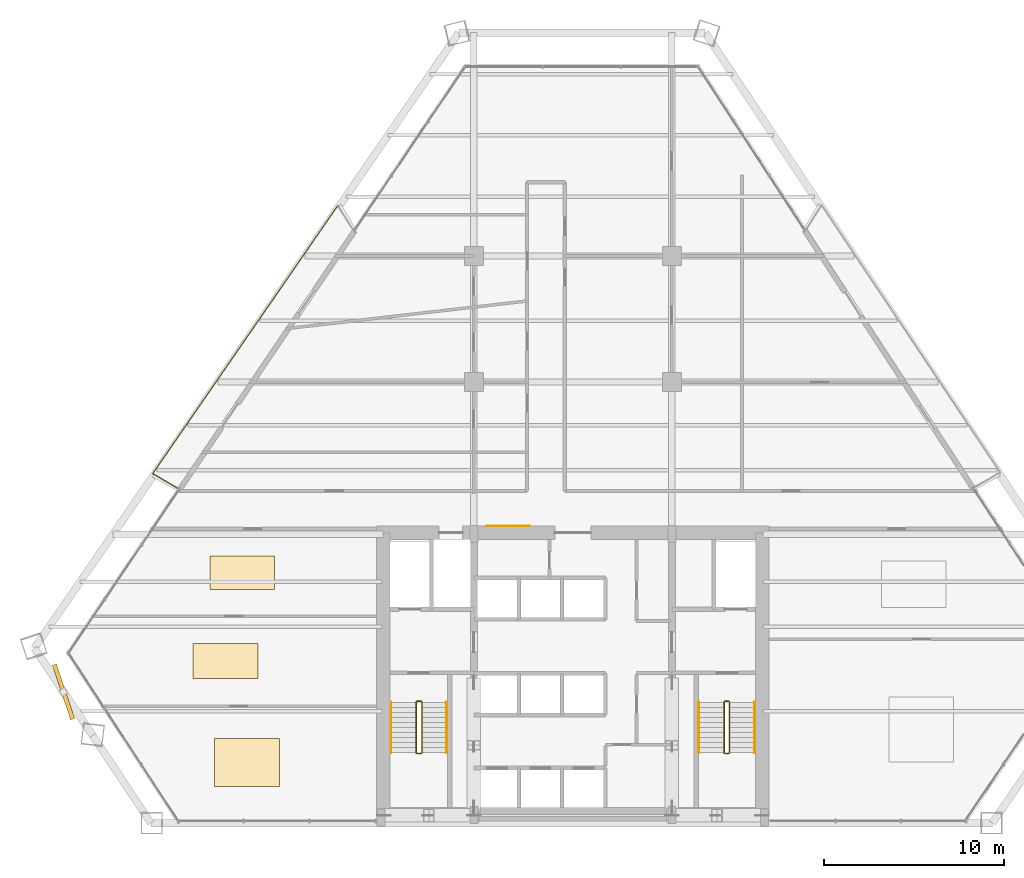
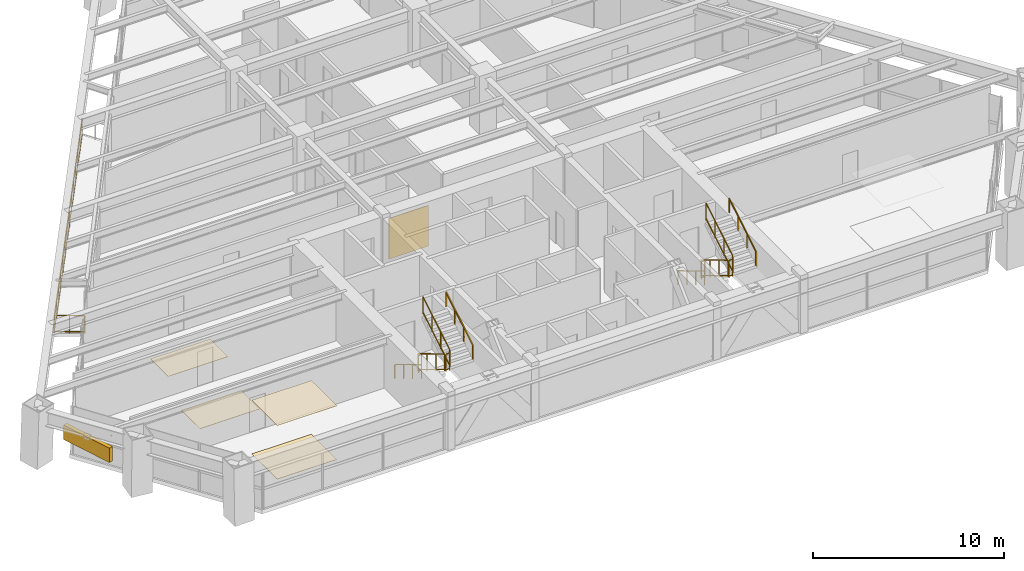
# One storey, part 13 of 14: 14 railings, 5 coverings, 1 shading device.
"""IFC4 building model written with IfcOpenShell, lengths in metres."""

from ifc_helpers import new_model, si_unit, direction, frame, origin, origin_2d, place, context, subcontext, project, spatial, rectangle, extrude, source, transform, mapped, material, layer, layer_set, type_object, type_shapes, element, save


model = new_model("IFC4")

# Units and contexts
model_context = context("Model", 3, precision=1e-05, world=origin(), true_north=direction((0.0, 1.0)))
body_context = subcontext(model_context, "Body", "Model", "MODEL_VIEW")
ifc_project = project(units=[si_unit("LENGTHUNIT", "METRE"), si_unit("AREAUNIT", "SQUARE_METRE"), si_unit("VOLUMEUNIT", "CUBIC_METRE"), si_unit("PLANEANGLEUNIT", "RADIAN"), si_unit("MASSUNIT", "GRAM", prefix="KILO")], contexts=[model_context])

# Site, building, storey
site_placement = place(None, origin())
site = spatial("IfcSite", under=ifc_project, at=site_placement, CompositionType="ELEMENT")
building_placement = place(site_placement, origin())
building = spatial("IfcBuilding", under=site, at=building_placement, Name="Varnakhor Terracotta Tower", CompositionType="ELEMENT")
storey_placement = place(building_placement, frame((0.0, 0.0, 80.300048828125)))
storey = spatial("IfcBuildingStorey", under=building, at=storey_placement, Name="L19", CompositionType="ELEMENT", Elevation=80.300048828125)

# Railings
ifc_material_1 = material(Name="Stainless Steel & Laminated Glass Guardrail", Category="steel")
railing_type_1 = type_object("IfcRailingType", Name="RLG-LOGGIA-GUARD-1150", PredefinedType="GUARDRAIL", material=ifc_material_1)
railing_1_placement = place(storey_placement, frame((-21.96240234375, 18.59912109375, 0.0)))
element("IfcRailing", 1, at=railing_1_placement, inside=storey, type_object=railing_type_1, Name="L19 W Loggia Glass Guard 1", PredefinedType="GUARDRAIL", context=body_context, shape_type="SweptSolid", body=[
    extrude(rectangle(XDim=0.048095703125, YDim=0.048095703125, at=origin_2d()), frame((0.0, 0.0, 1.1259765625), z_axis=(-0.859869412574, 0.510514048112, 0.0), x_axis=(-0.510514048112, -0.859869412574, 0.0)), (0.0, 0.0, 1.0), 1.59814453125),
    extrude(rectangle(XDim=0.048095703125, YDim=0.048095703125, at=origin_2d()), frame((0.0, 0.0, 0.10009765625), z_axis=(-0.859869412574, 0.510514048112, 0.0), x_axis=(-0.510514048112, -0.859869412574, 0.0)), (0.0, 0.0, 1.0), 1.59814453125),
    extrude(rectangle(XDim=0.0419921875, YDim=0.0419921875, at=origin_2d()), origin(), (0.0, 0.0, 1.0), 1.101806640625),
    extrude(rectangle(XDim=0.0419921875, YDim=0.0419921875, at=origin_2d()), frame((-0.68701171875, 0.407958984375, 0.0)), (0.0, 0.0, 1.0), 1.101806640625),
    extrude(rectangle(XDim=0.0419921875, YDim=0.0419921875, at=origin_2d()), frame((-1.374267578125, 0.81591796875, 0.0)), (0.0, 0.0, 1.0), 1.101806640625),
])
railing_2_placement = place(storey_placement, frame((-23.336669921875, 19.4150390625, 0.0)))
element("IfcRailing", 2, at=railing_2_placement, inside=storey, type_object=railing_type_1, Name="L19 W Loggia Glass Guard 2", PredefinedType="GUARDRAIL", context=body_context, shape_type="SweptSolid", body=[
    extrude(rectangle(XDim=0.048095703125, YDim=0.048095703125, at=origin_2d()), frame((0.0, 0.0, 1.1259765625), z_axis=(0.568155443681, 0.82292125493, 0.0), x_axis=(-0.82292125493, 0.568155443681, 0.0)), (0.0, 0.0, 1.0), 18.078125),
    extrude(rectangle(XDim=0.048095703125, YDim=0.048095703125, at=origin_2d()), frame((0.0, 0.0, 0.10009765625), z_axis=(0.568155443681, 0.82292125493, 0.0), x_axis=(-0.82292125493, 0.568155443681, 0.0)), (0.0, 0.0, 1.0), 18.078125),
    extrude(rectangle(XDim=0.0419921875, YDim=0.0419921875, at=origin_2d()), origin(), (0.0, 0.0, 1.0), 1.101806640625),
    extrude(rectangle(XDim=0.0419921875, YDim=0.0419921875, at=origin_2d()), frame((0.7900390625, 1.144287109375, 0.0)), (0.0, 0.0, 1.0), 1.101806640625),
    extrude(rectangle(XDim=0.0419921875, YDim=0.0419921875, at=origin_2d()), frame((1.580078125, 2.288818359375, 0.0)), (0.0, 0.0, 1.0), 1.101806640625),
    extrude(rectangle(XDim=0.0419921875, YDim=0.0419921875, at=origin_2d()), frame((2.370361328125, 3.43310546875, 0.0)), (0.0, 0.0, 1.0), 1.101806640625),
    extrude(rectangle(XDim=0.0419921875, YDim=0.0419921875, at=origin_2d()), frame((3.160400390625, 4.57763671875, 0.0)), (0.0, 0.0, 1.0), 1.101806640625),
    extrude(rectangle(XDim=0.0419921875, YDim=0.0419921875, at=origin_2d()), frame((3.950439453125, 5.721923828125, 0.0)), (0.0, 0.0, 1.0), 1.101806640625),
    extrude(rectangle(XDim=0.0419921875, YDim=0.0419921875, at=origin_2d()), frame((4.740478515625, 6.8662109375, 0.0)), (0.0, 0.0, 1.0), 1.101806640625),
    extrude(rectangle(XDim=0.0419921875, YDim=0.0419921875, at=origin_2d()), frame((5.53076171875, 8.0107421875, 0.0)), (0.0, 0.0, 1.0), 1.101806640625),
    extrude(rectangle(XDim=0.0419921875, YDim=0.0419921875, at=origin_2d()), frame((6.32080078125, 9.155029296875, 0.0)), (0.0, 0.0, 1.0), 1.101806640625),
    extrude(rectangle(XDim=0.0419921875, YDim=0.0419921875, at=origin_2d()), frame((7.11083984375, 10.29931640625, 0.0)), (0.0, 0.0, 1.0), 1.101806640625),
    extrude(rectangle(XDim=0.0419921875, YDim=0.0419921875, at=origin_2d()), frame((7.90087890625, 11.44384765625, 0.0)), (0.0, 0.0, 1.0), 1.101806640625),
    extrude(rectangle(XDim=0.0419921875, YDim=0.0419921875, at=origin_2d()), frame((8.691162109375, 12.588134765625, 0.0)), (0.0, 0.0, 1.0), 1.101806640625),
    extrude(rectangle(XDim=0.0419921875, YDim=0.0419921875, at=origin_2d()), frame((9.481201171875, 13.732666015625, 0.0)), (0.0, 0.0, 1.0), 1.101806640625),
    extrude(rectangle(XDim=0.0419921875, YDim=0.0419921875, at=origin_2d()), frame((10.271240234375, 14.876953125, 0.0)), (0.0, 0.0, 1.0), 1.101806640625),
])
ifc_material_2 = material(Name="Painted Steel Stairwell Guardrail", Category="steel")
railing_type_2 = type_object("IfcRailingType", Name="RLG-STAIR-GUARD-1120", PredefinedType="GUARDRAIL", material=ifc_material_2)
railing_3_placement = place(storey_placement, frame((-8.699951171875, 6.7099609375, 0.168212890625)))
element("IfcRailing", 3, at=railing_3_placement, inside=storey, type_object=railing_type_2, Name="L19 ST-1 stair guard 1", PredefinedType="GUARDRAIL", context=body_context, shape_type="SweptSolid", body=[
    extrude(rectangle(XDim=0.048095703125, YDim=0.048095703125, at=origin_2d()), frame((0.0, 0.0, 1.09619140625), z_axis=(0.0, -0.857275202839, 0.514858452973), x_axis=(1.0, 0.0, 0.0)), (0.0, 0.0, 1.0), 3.26611328125),
    extrude(rectangle(XDim=0.048095703125, YDim=0.048095703125, at=origin_2d()), frame((0.0, 0.0, 0.10009765625), z_axis=(0.0, -0.857275202839, 0.514858452973), x_axis=(1.0, 0.0, 0.0)), (0.0, 0.0, 1.0), 3.26611328125),
    extrude(rectangle(XDim=0.0419921875, YDim=0.0419921875, at=origin_2d()), origin(), (0.0, 0.0, 1.0), 1.072021484375),
    extrude(rectangle(XDim=0.0419921875, YDim=0.0419921875, at=origin_2d()), frame((0.0, -0.933349609375, 0.560546875)), (0.0, 0.0, 1.0), 1.072021484375),
    extrude(rectangle(XDim=0.0419921875, YDim=0.0419921875, at=origin_2d()), frame((0.0, -1.86669921875, 1.12109375)), (0.0, 0.0, 1.0), 1.072021484375),
    extrude(rectangle(XDim=0.0419921875, YDim=0.0419921875, at=origin_2d()), frame((0.0, -2.800048828125, 1.681640625)), (0.0, 0.0, 1.0), 1.072021484375),
])
railing_4_placement = place(storey_placement, frame((-8.64990234375, 3.860107421875, 1.849853515625)))
element("IfcRailing", 4, at=railing_4_placement, inside=storey, type_object=railing_type_2, Name="L19 ST-1 stair guard 2", PredefinedType="GUARDRAIL", context=body_context, shape_type="SweptSolid", body=[
    extrude(rectangle(XDim=0.048095703125, YDim=0.048095703125, at=origin_2d()), frame((0.0, 0.0, 1.09619140625), z_axis=(1.0, 0.0, 0.0), x_axis=(0.0, 1.0, 0.0)), (0.0, 0.0, 1.0), 0.199951171875),
    extrude(rectangle(XDim=0.048095703125, YDim=0.048095703125, at=origin_2d()), frame((0.0, 0.0, 0.10009765625), z_axis=(1.0, 0.0, 0.0), x_axis=(0.0, 1.0, 0.0)), (0.0, 0.0, 1.0), 0.199951171875),
    extrude(rectangle(XDim=0.0419921875, YDim=0.0419921875, at=origin_2d()), origin(), (0.0, 0.0, 1.0), 1.072021484375),
    extrude(rectangle(XDim=0.0419921875, YDim=0.0419921875, at=origin_2d()), frame((0.199951171875, 0.0, 0.0)), (0.0, 0.0, 1.0), 1.072021484375),
])
railing_5_placement = place(storey_placement, frame((-8.39990234375, 3.909912109375, 2.01806640625)))
element("IfcRailing", 5, at=railing_5_placement, inside=storey, type_object=railing_type_2, Name="L19 ST-1 stair guard 3", PredefinedType="GUARDRAIL", context=body_context, shape_type="SweptSolid", body=[
    extrude(rectangle(XDim=0.048095703125, YDim=0.048095703125, at=origin_2d()), frame((0.0, 0.0, 1.09619140625), z_axis=(0.0, 0.857242210791, 0.514913383045), x_axis=(-1.0, 0.0, 0.0)), (0.0, 0.0, 1.0), 3.266357421875),
    extrude(rectangle(XDim=0.048095703125, YDim=0.048095703125, at=origin_2d()), frame((0.0, 0.0, 0.10009765625), z_axis=(0.0, 0.857242210791, 0.514913383045), x_axis=(-1.0, 0.0, 0.0)), (0.0, 0.0, 1.0), 3.266357421875),
    extrude(rectangle(XDim=0.0419921875, YDim=0.0419921875, at=origin_2d()), origin(), (0.0, 0.0, 1.0), 1.072021484375),
    extrude(rectangle(XDim=0.0419921875, YDim=0.0419921875, at=origin_2d()), frame((0.0, 0.933349609375, 0.560546875)), (0.0, 0.0, 1.0), 1.072021484375),
    extrude(rectangle(XDim=0.0419921875, YDim=0.0419921875, at=origin_2d()), frame((0.0, 1.86669921875, 1.121337890625)), (0.0, 0.0, 1.0), 1.072021484375),
    extrude(rectangle(XDim=0.0419921875, YDim=0.0419921875, at=origin_2d()), frame((0.0, 2.800048828125, 1.681884765625)), (0.0, 0.0, 1.0), 1.072021484375),
])
railing_6_placement = place(storey_placement, frame((-8.64990234375, 6.760009765625, 0.0)))
element("IfcRailing", 6, at=railing_6_placement, inside=storey, type_object=railing_type_2, Name="L19 ST-1 stair guard 4", PredefinedType="GUARDRAIL", context=body_context, shape_type="SweptSolid", body=[
    extrude(rectangle(XDim=0.048095703125, YDim=0.048095703125, at=origin_2d()), frame((0.0, 0.0, 1.09619140625), z_axis=(1.0, 0.0, 0.0), x_axis=(0.0, 1.0, 0.0)), (0.0, 0.0, 1.0), 0.199951171875),
    extrude(rectangle(XDim=0.048095703125, YDim=0.048095703125, at=origin_2d()), frame((0.0, 0.0, 0.10009765625), z_axis=(1.0, 0.0, 0.0), x_axis=(0.0, 1.0, 0.0)), (0.0, 0.0, 1.0), 0.199951171875),
    extrude(rectangle(XDim=0.0419921875, YDim=0.0419921875, at=origin_2d()), origin(), (0.0, 0.0, 1.0), 1.072021484375),
    extrude(rectangle(XDim=0.0419921875, YDim=0.0419921875, at=origin_2d()), frame((0.199951171875, 0.0, 0.0)), (0.0, 0.0, 1.0), 1.072021484375),
])
railing_7_placement = place(storey_placement, frame((8.39990234375, 6.7099609375, 0.168212890625)))
element("IfcRailing", 7, at=railing_7_placement, inside=storey, type_object=railing_type_2, Name="L19 ST-2 stair guard 1", PredefinedType="GUARDRAIL", context=body_context, shape_type="SweptSolid", body=[
    extrude(rectangle(XDim=0.048095703125, YDim=0.048095703125, at=origin_2d()), frame((0.0, 0.0, 1.09619140625), z_axis=(0.0, -0.857275202839, 0.514858452973), x_axis=(1.0, 0.0, 0.0)), (0.0, 0.0, 1.0), 3.26611328125),
    extrude(rectangle(XDim=0.048095703125, YDim=0.048095703125, at=origin_2d()), frame((0.0, 0.0, 0.10009765625), z_axis=(0.0, -0.857275202839, 0.514858452973), x_axis=(1.0, 0.0, 0.0)), (0.0, 0.0, 1.0), 3.26611328125),
    extrude(rectangle(XDim=0.0419921875, YDim=0.0419921875, at=origin_2d()), origin(), (0.0, 0.0, 1.0), 1.072021484375),
    extrude(rectangle(XDim=0.0419921875, YDim=0.0419921875, at=origin_2d()), frame((0.0, -0.933349609375, 0.560546875)), (0.0, 0.0, 1.0), 1.072021484375),
    extrude(rectangle(XDim=0.0419921875, YDim=0.0419921875, at=origin_2d()), frame((0.0, -1.86669921875, 1.12109375)), (0.0, 0.0, 1.0), 1.072021484375),
    extrude(rectangle(XDim=0.0419921875, YDim=0.0419921875, at=origin_2d()), frame((0.0, -2.800048828125, 1.681640625)), (0.0, 0.0, 1.0), 1.072021484375),
])
railing_8_placement = place(storey_placement, frame((8.449951171875, 3.860107421875, 1.849853515625)))
element("IfcRailing", 8, at=railing_8_placement, inside=storey, type_object=railing_type_2, Name="L19 ST-2 stair guard 2", PredefinedType="GUARDRAIL", context=body_context, shape_type="SweptSolid", body=[
    extrude(rectangle(XDim=0.048095703125, YDim=0.048095703125, at=origin_2d()), frame((0.0, 0.0, 1.09619140625), z_axis=(1.0, 0.0, 0.0), x_axis=(0.0, 1.0, 0.0)), (0.0, 0.0, 1.0), 0.199951171875),
    extrude(rectangle(XDim=0.048095703125, YDim=0.048095703125, at=origin_2d()), frame((0.0, 0.0, 0.10009765625), z_axis=(1.0, 0.0, 0.0), x_axis=(0.0, 1.0, 0.0)), (0.0, 0.0, 1.0), 0.199951171875),
    extrude(rectangle(XDim=0.0419921875, YDim=0.0419921875, at=origin_2d()), origin(), (0.0, 0.0, 1.0), 1.072021484375),
    extrude(rectangle(XDim=0.0419921875, YDim=0.0419921875, at=origin_2d()), frame((0.199951171875, 0.0, 0.0)), (0.0, 0.0, 1.0), 1.072021484375),
])
railing_9_placement = place(storey_placement, frame((8.699951171875, 3.909912109375, 2.01806640625)))
element("IfcRailing", 9, at=railing_9_placement, inside=storey, type_object=railing_type_2, Name="L19 ST-2 stair guard 3", PredefinedType="GUARDRAIL", context=body_context, shape_type="SweptSolid", body=[
    extrude(rectangle(XDim=0.048095703125, YDim=0.048095703125, at=origin_2d()), frame((0.0, 0.0, 1.09619140625), z_axis=(0.0, 0.857242210791, 0.514913383045), x_axis=(-1.0, 0.0, 0.0)), (0.0, 0.0, 1.0), 3.266357421875),
    extrude(rectangle(XDim=0.048095703125, YDim=0.048095703125, at=origin_2d()), frame((0.0, 0.0, 0.10009765625), z_axis=(0.0, 0.857242210791, 0.514913383045), x_axis=(-1.0, 0.0, 0.0)), (0.0, 0.0, 1.0), 3.266357421875),
    extrude(rectangle(XDim=0.0419921875, YDim=0.0419921875, at=origin_2d()), origin(), (0.0, 0.0, 1.0), 1.072021484375),
    extrude(rectangle(XDim=0.0419921875, YDim=0.0419921875, at=origin_2d()), frame((0.0, 0.933349609375, 0.560546875)), (0.0, 0.0, 1.0), 1.072021484375),
    extrude(rectangle(XDim=0.0419921875, YDim=0.0419921875, at=origin_2d()), frame((0.0, 1.86669921875, 1.121337890625)), (0.0, 0.0, 1.0), 1.072021484375),
    extrude(rectangle(XDim=0.0419921875, YDim=0.0419921875, at=origin_2d()), frame((0.0, 2.800048828125, 1.681884765625)), (0.0, 0.0, 1.0), 1.072021484375),
])
railing_10_placement = place(storey_placement, frame((8.449951171875, 6.760009765625, 0.0)))
element("IfcRailing", 10, at=railing_10_placement, inside=storey, type_object=railing_type_2, Name="L19 ST-2 stair guard 4", PredefinedType="GUARDRAIL", context=body_context, shape_type="SweptSolid", body=[
    extrude(rectangle(XDim=0.048095703125, YDim=0.048095703125, at=origin_2d()), frame((0.0, 0.0, 1.09619140625), z_axis=(1.0, 0.0, 0.0), x_axis=(0.0, 1.0, 0.0)), (0.0, 0.0, 1.0), 0.199951171875),
    extrude(rectangle(XDim=0.048095703125, YDim=0.048095703125, at=origin_2d()), frame((0.0, 0.0, 0.10009765625), z_axis=(1.0, 0.0, 0.0), x_axis=(0.0, 1.0, 0.0)), (0.0, 0.0, 1.0), 0.199951171875),
    extrude(rectangle(XDim=0.0419921875, YDim=0.0419921875, at=origin_2d()), origin(), (0.0, 0.0, 1.0), 1.072021484375),
    extrude(rectangle(XDim=0.0419921875, YDim=0.0419921875, at=origin_2d()), frame((0.199951171875, 0.0, 0.0)), (0.0, 0.0, 1.0), 1.072021484375),
])
ifc_material_3 = material(Name="Brushed Stainless Steel Handrail", Category="steel")
railing_type_3 = type_object("IfcRailingType", Name="RLG-STAIR-HANDRAIL-920", PredefinedType="HANDRAIL", material=ifc_material_3)
railing_11_placement = place(storey_placement, frame((-10.10009765625, 6.7099609375, 0.168212890625)))
element("IfcRailing", 11, at=railing_11_placement, inside=storey, type_object=railing_type_3, Name="L19 ST-1 stair handrail 1", PredefinedType="HANDRAIL", context=body_context, shape_type="SweptSolid", body=[
    extrude(rectangle(XDim=0.048095703125, YDim=0.048095703125, at=origin_2d()), frame((0.0, 0.0, 0.89599609375), z_axis=(0.0, -0.857275202839, 0.514858452973), x_axis=(1.0, 0.0, 0.0)), (0.0, 0.0, 1.0), 3.26611328125),
    extrude(rectangle(XDim=0.0419921875, YDim=0.0419921875, at=origin_2d()), origin(), (0.0, 0.0, 1.0), 0.871826171875),
    extrude(rectangle(XDim=0.0419921875, YDim=0.0419921875, at=origin_2d()), frame((0.0, -0.933349609375, 0.560546875)), (0.0, 0.0, 1.0), 0.871826171875),
    extrude(rectangle(XDim=0.0419921875, YDim=0.0419921875, at=origin_2d()), frame((0.0, -1.86669921875, 1.12109375)), (0.0, 0.0, 1.0), 0.871826171875),
    extrude(rectangle(XDim=0.0419921875, YDim=0.0419921875, at=origin_2d()), frame((0.0, -2.800048828125, 1.681640625)), (0.0, 0.0, 1.0), 0.871826171875),
])
railing_12_placement = place(storey_placement, frame((-7.0, 3.909912109375, 2.01806640625)))
element("IfcRailing", 12, at=railing_12_placement, inside=storey, type_object=railing_type_3, Name="L19 ST-1 stair handrail 2", PredefinedType="HANDRAIL", context=body_context, shape_type="SweptSolid", body=[
    extrude(rectangle(XDim=0.048095703125, YDim=0.048095703125, at=origin_2d()), frame((0.0, 0.0, 0.89599609375), z_axis=(0.0, 0.857242210791, 0.514913383045), x_axis=(-1.0, 0.0, 0.0)), (0.0, 0.0, 1.0), 3.266357421875),
    extrude(rectangle(XDim=0.0419921875, YDim=0.0419921875, at=origin_2d()), origin(), (0.0, 0.0, 1.0), 0.871826171875),
    extrude(rectangle(XDim=0.0419921875, YDim=0.0419921875, at=origin_2d()), frame((0.0, 0.933349609375, 0.560546875)), (0.0, 0.0, 1.0), 0.871826171875),
    extrude(rectangle(XDim=0.0419921875, YDim=0.0419921875, at=origin_2d()), frame((0.0, 1.86669921875, 1.121337890625)), (0.0, 0.0, 1.0), 0.871826171875),
    extrude(rectangle(XDim=0.0419921875, YDim=0.0419921875, at=origin_2d()), frame((0.0, 2.800048828125, 1.681884765625)), (0.0, 0.0, 1.0), 0.871826171875),
])
railing_13_placement = place(storey_placement, frame((7.0, 6.7099609375, 0.168212890625)))
element("IfcRailing", 13, at=railing_13_placement, inside=storey, type_object=railing_type_3, Name="L19 ST-2 stair handrail 1", PredefinedType="HANDRAIL", context=body_context, shape_type="SweptSolid", body=[
    extrude(rectangle(XDim=0.048095703125, YDim=0.048095703125, at=origin_2d()), frame((0.0, 0.0, 0.89599609375), z_axis=(0.0, -0.857275202839, 0.514858452973), x_axis=(1.0, 0.0, 0.0)), (0.0, 0.0, 1.0), 3.26611328125),
    extrude(rectangle(XDim=0.0419921875, YDim=0.0419921875, at=origin_2d()), origin(), (0.0, 0.0, 1.0), 0.871826171875),
    extrude(rectangle(XDim=0.0419921875, YDim=0.0419921875, at=origin_2d()), frame((0.0, -0.933349609375, 0.560546875)), (0.0, 0.0, 1.0), 0.871826171875),
    extrude(rectangle(XDim=0.0419921875, YDim=0.0419921875, at=origin_2d()), frame((0.0, -1.86669921875, 1.12109375)), (0.0, 0.0, 1.0), 0.871826171875),
    extrude(rectangle(XDim=0.0419921875, YDim=0.0419921875, at=origin_2d()), frame((0.0, -2.800048828125, 1.681640625)), (0.0, 0.0, 1.0), 0.871826171875),
])
railing_14_placement = place(storey_placement, frame((10.10009765625, 3.909912109375, 2.01806640625)))
element("IfcRailing", 14, at=railing_14_placement, inside=storey, type_object=railing_type_3, Name="L19 ST-2 stair handrail 2", PredefinedType="HANDRAIL", context=body_context, shape_type="SweptSolid", body=[
    extrude(rectangle(XDim=0.048095703125, YDim=0.048095703125, at=origin_2d()), frame((0.0, 0.0, 0.89599609375), z_axis=(0.0, 0.857242210791, 0.514913383045), x_axis=(-1.0, 0.0, 0.0)), (0.0, 0.0, 1.0), 3.266357421875),
    extrude(rectangle(XDim=0.0419921875, YDim=0.0419921875, at=origin_2d()), origin(), (0.0, 0.0, 1.0), 0.871826171875),
    extrude(rectangle(XDim=0.0419921875, YDim=0.0419921875, at=origin_2d()), frame((0.0, 0.933349609375, 0.560546875)), (0.0, 0.0, 1.0), 0.871826171875),
    extrude(rectangle(XDim=0.0419921875, YDim=0.0419921875, at=origin_2d()), frame((0.0, 1.86669921875, 1.121337890625)), (0.0, 0.0, 1.0), 0.871826171875),
    extrude(rectangle(XDim=0.0419921875, YDim=0.0419921875, at=origin_2d()), frame((0.0, 2.800048828125, 1.681884765625)), (0.0, 0.0, 1.0), 0.871826171875),
])

# Shading device
ifc_material_4 = material(Name="Extruded Architectural Terracotta Screen", Category="masonry")
shading_device_type = type_object("IfcShadingDeviceType", Name="TERRACOTTA SOLAR SCREEN W", PredefinedType="USERDEFINED", material=ifc_material_4)
shared_shape_1 = source(origin(), body_context, "Body", "SweptSolid", [
    extrude(rectangle(XDim=3.199951171875, YDim=0.239990234375, at=origin_2d()), origin(), (0.0, 0.0, 1.0), 0.919921875),
])
type_shapes(shading_device_type, [shared_shape_1])
shading_device_placement = place(storey_placement, frame((-28.29443359375, 7.28466796875, 1.617919921875), z_axis=(0.0, 0.0, 1.0), x_axis=(0.320282332298, -0.947322135083, 0.0)))
element("IfcShadingDevice", 15, at=shading_device_placement, inside=storey, type_object=shading_device_type, Name="L19 W Terracotta Solar Screen", ObjectType="SCREEN", PredefinedType="USERDEFINED", context=body_context, shape_type="MappedRepresentation", body=[
    mapped(shared_shape_1, transform((0.0, 0.0, 0.0), scale=1.0)),
])

# Coverings
ifc_material_5 = material(Name="Extruded Architectural Terracotta Cladding", Category="masonry")
ifc_layer_1 = layer(ifc_material_5, 0.044921875, Name="Extruded Architectural Terracotta Cladding")
ifc_layer_set_1 = layer_set([ifc_layer_1], Name="Extruded Architectural Terracotta Cladding")
covering_type_1 = type_object("IfcCoveringType", Name="COV-CLAD-TERRACOTTA", PredefinedType="CLADDING", material=ifc_layer_set_1)
shared_shape_2 = source(origin(), body_context, "Body", "SweptSolid", [
    extrude(rectangle(XDim=2.39990234375, YDim=0.030029296875, at=origin_2d()), origin(), (0.0, 0.0, 1.0), 2.60009765625),
])
type_shapes(covering_type_1, [shared_shape_2])
covering_1_placement = place(storey_placement, frame((-3.60009765625, 16.511962890625, 0.0), z_axis=(0.0, 0.0, 1.0), x_axis=(1.0, 0.0, 0.0)))
element("IfcCovering", 16, at=covering_1_placement, inside=storey, type_object=covering_type_1, Name="L19 Core Lobby Limestone Cladding", PredefinedType="CLADDING", context=body_context, shape_type="MappedRepresentation", body=[
    mapped(shared_shape_2, transform((0.0, 0.0, 0.0), scale=1.0)),
])
ifc_material_6 = material(Name="Honed Riyadh Limestone Flooring", Category="masonry")
ifc_layer_2 = layer(ifc_material_6, 0.030029296875, Name="Honed Riyadh Limestone Flooring")
ifc_layer_set_2 = layer_set([ifc_layer_2], Name="Honed Riyadh Limestone Flooring")
covering_type_2 = type_object("IfcCoveringType", Name="COV-FLOOR-LIMESTONE", PredefinedType="FLOORING", material=ifc_layer_set_2)
shared_shape_3 = source(origin(), body_context, "Body", "SweptSolid", [
    extrude(rectangle(XDim=3.60009765625, YDim=1.950927734375, at=origin_2d()), origin(), (0.0, 0.0, 1.0), 0.02001953125),
])
covering_2_placement = place(storey_placement, frame((-19.303955078125, 9.0, 0.0), z_axis=(0.0, 0.0, 1.0), x_axis=(1.0, 0.0, 0.0)))
element("IfcCovering", 17, at=covering_2_placement, inside=storey, type_object=covering_type_2, Name="L19 Honed Stone Flooring 3", PredefinedType="FLOORING", context=body_context, shape_type="MappedRepresentation", body=[
    mapped(shared_shape_3, transform((0.0, 0.0, 0.0), scale=1.0)),
])
shared_shape_4 = source(origin(), body_context, "Body", "SweptSolid", [
    extrude(rectangle(XDim=3.60009765625, YDim=2.6640625, at=origin_2d()), origin(), (0.0, 0.0, 1.0), 0.02001953125),
])
covering_3_placement = place(storey_placement, frame((-18.10693359375, 3.35205078125, 0.0), z_axis=(0.0, 0.0, 1.0), x_axis=(1.0, 0.0, 0.0)))
element("IfcCovering", 18, at=covering_3_placement, inside=storey, type_object=covering_type_2, Name="L19 Honed Stone Flooring 1", PredefinedType="FLOORING", context=body_context, shape_type="MappedRepresentation", body=[
    mapped(shared_shape_4, transform((0.0, 0.0, 0.0), scale=1.0)),
])
ifc_material_7 = material(Name="Perforated Acoustic Mineral-Fibre Ceiling", Category="gypsum")
ifc_layer_3 = layer(ifc_material_7, 0.02490234375, Name="Perforated Acoustic Mineral-Fibre Ceiling")
ifc_layer_set_3 = layer_set([ifc_layer_3], Name="Perforated Acoustic Mineral-Fibre Ceiling")
covering_type_3 = type_object("IfcCoveringType", Name="COV-CEILING-ACOUSTIC", PredefinedType="CEILING", material=ifc_layer_set_3)
shared_shape_5 = source(origin(), body_context, "Body", "SweptSolid", [
    extrude(rectangle(XDim=3.60009765625, YDim=2.6640625, at=origin_2d()), origin(), (0.0, 0.0, 1.0), 0.02392578125),
])
covering_4_placement = place(storey_placement, frame((-18.10693359375, 3.35205078125, 3.426025390625), z_axis=(0.0, 0.0, 1.0), x_axis=(1.0, 0.0, 0.0)))
element("IfcCovering", 19, at=covering_4_placement, inside=storey, type_object=covering_type_3, Name="L19 Acoustic Ceiling Panel 1", PredefinedType="CEILING", context=body_context, shape_type="MappedRepresentation", body=[
    mapped(shared_shape_5, transform((0.0, 0.0, 0.0), scale=1.0)),
])
shared_shape_6 = source(origin(), body_context, "Body", "SweptSolid", [
    extrude(rectangle(XDim=3.60009765625, YDim=1.85693359375, at=origin_2d()), origin(), (0.0, 0.0, 1.0), 0.02001953125),
])
covering_5_placement = place(storey_placement, frame((-18.361083984375, 13.9140625, 0.0), z_axis=(0.0, 0.0, 1.0), x_axis=(1.0, 0.0, 0.0)))
element("IfcCovering", 20, at=covering_5_placement, inside=storey, type_object=covering_type_2, Name="L19 Honed Stone Flooring 5", PredefinedType="FLOORING", context=body_context, shape_type="MappedRepresentation", body=[
    mapped(shared_shape_6, transform((0.0, 0.0, 0.0), scale=1.0)),
])

save(model, "model.ifc")
